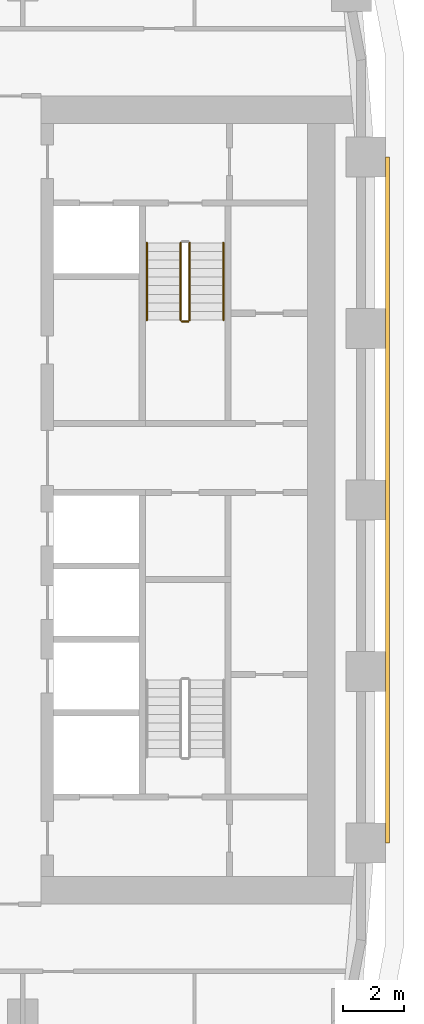
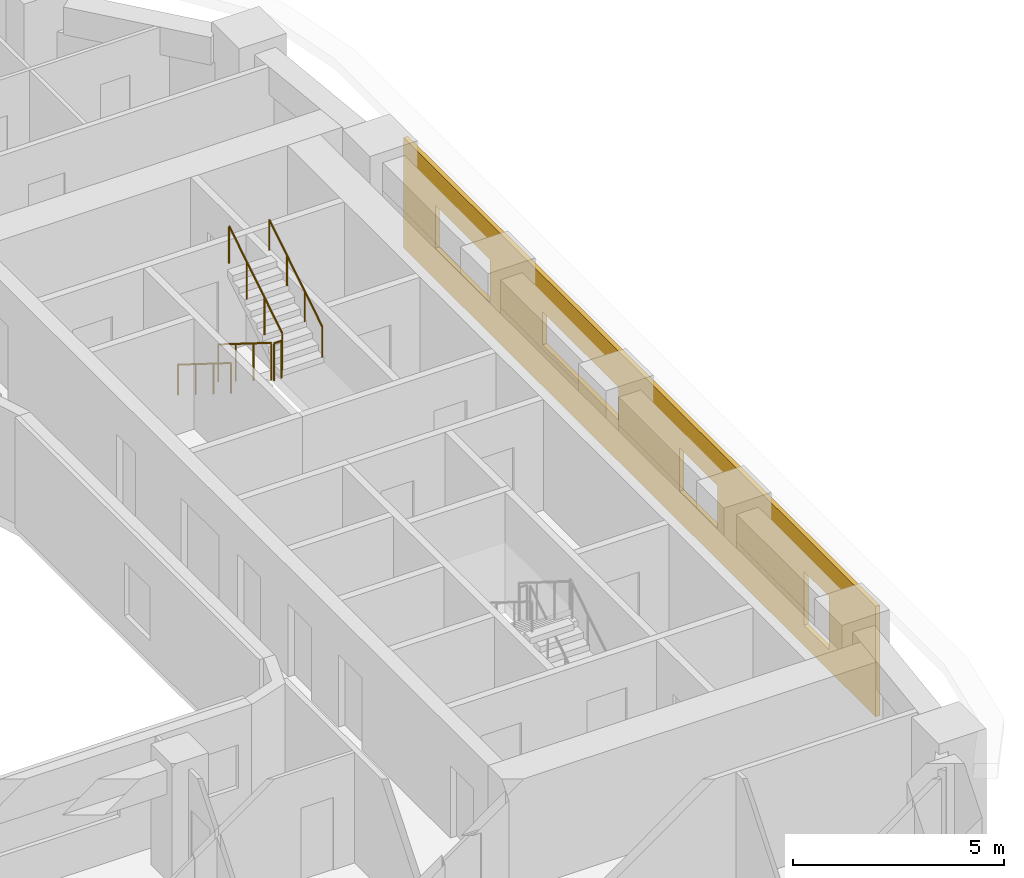
# One storey, part 19 of 22: 5 railings, 1 covering.
"""IFC4 building model written with IfcOpenShell, lengths in metres."""

from ifc_helpers import new_model, si_unit, direction, frame, origin, origin_2d, place, context, subcontext, project, spatial, polyline, circle, outline, extrude, material, layer, layer_set, type_object, element, save


model = new_model("IFC4")

# Units and contexts
model_context = context("Model", 3, precision=1e-05, world=origin(), true_north=direction((0.0, 1.0)))
body_context = subcontext(model_context, "Body", "Model", "MODEL_VIEW")
ifc_project = project(units=[si_unit("LENGTHUNIT", "METRE"), si_unit("AREAUNIT", "SQUARE_METRE"), si_unit("VOLUMEUNIT", "CUBIC_METRE"), si_unit("PLANEANGLEUNIT", "RADIAN"), si_unit("MASSUNIT", "GRAM", prefix="KILO")], contexts=[model_context])

# Site, building, storey
site_placement = place(None, origin())
site = spatial("IfcSite", under=ifc_project, at=site_placement, CompositionType="ELEMENT")
building_placement = place(site_placement, origin())
building = spatial("IfcBuilding", under=site, at=building_placement, Name="Kiln Ring Residences", CompositionType="ELEMENT")
storey_placement = place(building_placement, frame((0.0, 0.0, 97.300048828125)))
storey = spatial("IfcBuildingStorey", under=building, at=storey_placement, Name="L24", CompositionType="ELEMENT", Elevation=97.300048828125)

# Railings
ifc_material_1 = material(Name="Stainless steel", Category="steel")
railing_type_1 = type_object("IfcRailingType", Name="CORE-STAIR-GUARD", PredefinedType="GUARDRAIL", material=ifc_material_1)
railing_1_placement = place(storey_placement, frame((21.949951171875, 8.39990234375, 0.175048828125)))
element("IfcRailing", 1, at=railing_1_placement, inside=storey, type_object=railing_type_1, Name="L24 E-STN stair guard 1", PredefinedType="GUARDRAIL", context=body_context, shape_type="SweptSolid", body=[
    extrude(circle(Radius=0.02392578125, at=origin_2d()), frame((0.0, 0.0, 1.076171875), z_axis=(0.0, -0.848007534815, 0.529984170421), x_axis=(1.0, 0.0, 0.0)), (0.0, 0.0, 1.0), 2.9716796875),
    extrude(circle(Radius=0.02099609375, at=origin_2d()), origin(), (0.0, 0.0, 1.0), 1.052001953125),
    extrude(circle(Radius=0.02099609375, at=origin_2d()), frame((0.0, -0.840087890625, 0.52490234375)), (0.0, 0.0, 1.0), 1.052001953125),
    extrude(circle(Radius=0.02099609375, at=origin_2d()), frame((0.0, -1.679931640625, 1.050048828125)), (0.0, 0.0, 1.0), 1.052001953125),
    extrude(circle(Radius=0.02099609375, at=origin_2d()), frame((0.0, -2.52001953125, 1.574951171875)), (0.0, 0.0, 1.0), 1.052001953125),
])
railing_2_placement = place(storey_placement, frame((22.0, 5.830078125, 1.75)))
element("IfcRailing", 2, at=railing_2_placement, inside=storey, type_object=railing_type_1, Name="L24 E-STN stair guard 2", PredefinedType="GUARDRAIL", context=body_context, shape_type="SweptSolid", body=[
    extrude(circle(Radius=0.02392578125, at=origin_2d()), frame((0.0, 0.0, 1.076171875), z_axis=(1.0, 0.0, 0.0), x_axis=(0.0, 1.0, 0.0)), (0.0, 0.0, 1.0), 0.199951171875),
    extrude(circle(Radius=0.02099609375, at=origin_2d()), origin(), (0.0, 0.0, 1.0), 1.052001953125),
    extrude(circle(Radius=0.02099609375, at=origin_2d()), frame((0.199951171875, 0.0, 0.0)), (0.0, 0.0, 1.0), 1.052001953125),
])
railing_3_placement = place(storey_placement, frame((22.25, 5.8798828125, 1.925048828125)))
element("IfcRailing", 3, at=railing_3_placement, inside=storey, type_object=railing_type_1, Name="L24 E-STN stair guard 3", PredefinedType="GUARDRAIL", context=body_context, shape_type="SweptSolid", body=[
    extrude(circle(Radius=0.02392578125, at=origin_2d()), frame((0.0, 0.0, 1.076171875), z_axis=(0.0, 0.848007534815, 0.529984170421), x_axis=(-1.0, 0.0, 0.0)), (0.0, 0.0, 1.0), 2.9716796875),
    extrude(circle(Radius=0.02099609375, at=origin_2d()), origin(), (0.0, 0.0, 1.0), 1.052001953125),
    extrude(circle(Radius=0.02099609375, at=origin_2d()), frame((0.0, 0.840087890625, 0.52490234375)), (0.0, 0.0, 1.0), 1.052001953125),
    extrude(circle(Radius=0.02099609375, at=origin_2d()), frame((0.0, 1.679931640625, 1.050048828125)), (0.0, 0.0, 1.0), 1.052001953125),
    extrude(circle(Radius=0.02099609375, at=origin_2d()), frame((0.0, 2.52001953125, 1.574951171875)), (0.0, 0.0, 1.0), 1.052001953125),
])
ifc_material_2 = material(Name="Stainless steel", Category="steel")
railing_type_2 = type_object("IfcRailingType", Name="CORE-STAIR-HANDRAIL", PredefinedType="HANDRAIL", material=ifc_material_2)
railing_4_placement = place(storey_placement, frame((20.85009765625, 8.39990234375, 0.175048828125)))
element("IfcRailing", 4, at=railing_4_placement, inside=storey, type_object=railing_type_2, Name="L24 E-STN stair handrail 1", PredefinedType="HANDRAIL", context=body_context, shape_type="SweptSolid", body=[
    extrude(circle(Radius=0.02392578125, at=origin_2d()), frame((0.0, 0.0, 0.8759765625), z_axis=(0.0, -0.848007534815, 0.529984170421), x_axis=(1.0, 0.0, 0.0)), (0.0, 0.0, 1.0), 2.9716796875),
    extrude(circle(Radius=0.02099609375, at=origin_2d()), origin(), (0.0, 0.0, 1.0), 0.851806640625),
    extrude(circle(Radius=0.02099609375, at=origin_2d()), frame((0.0, -0.840087890625, 0.52490234375)), (0.0, 0.0, 1.0), 0.851806640625),
    extrude(circle(Radius=0.02099609375, at=origin_2d()), frame((0.0, -1.679931640625, 1.050048828125)), (0.0, 0.0, 1.0), 0.851806640625),
    extrude(circle(Radius=0.02099609375, at=origin_2d()), frame((0.0, -2.52001953125, 1.574951171875)), (0.0, 0.0, 1.0), 0.851806640625),
])
railing_5_placement = place(storey_placement, frame((23.35009765625, 5.8798828125, 1.925048828125)))
element("IfcRailing", 5, at=railing_5_placement, inside=storey, type_object=railing_type_2, Name="L24 E-STN stair handrail 2", PredefinedType="HANDRAIL", context=body_context, shape_type="SweptSolid", body=[
    extrude(circle(Radius=0.02392578125, at=origin_2d()), frame((0.0, 0.0, 0.8759765625), z_axis=(0.0, 0.848007534815, 0.529984170421), x_axis=(-1.0, 0.0, 0.0)), (0.0, 0.0, 1.0), 2.9716796875),
    extrude(circle(Radius=0.02099609375, at=origin_2d()), origin(), (0.0, 0.0, 1.0), 0.851806640625),
    extrude(circle(Radius=0.02099609375, at=origin_2d()), frame((0.0, 0.840087890625, 0.52490234375)), (0.0, 0.0, 1.0), 0.851806640625),
    extrude(circle(Radius=0.02099609375, at=origin_2d()), frame((0.0, 1.679931640625, 1.050048828125)), (0.0, 0.0, 1.0), 0.851806640625),
    extrude(circle(Radius=0.02099609375, at=origin_2d()), frame((0.0, 2.52001953125, 1.574951171875)), (0.0, 0.0, 1.0), 0.851806640625),
])

# Covering
ifc_material_3 = material(Name="Brick masonry, dark clay brick", Category="masonry")
ifc_layer = layer(ifc_material_3, 0.1201171875)
ifc_layer_set = layer_set([ifc_layer], Name="RAINSCREEN PANEL 120")
covering_type = type_object("IfcCoveringType", Name="RAINSCREEN PANEL 120", PredefinedType="CLADDING", material=ifc_layer_set)
covering_placement = place(storey_placement, frame((28.7099609375, -11.199951171875, 0.0), z_axis=(0.0, 0.0, 1.0), x_axis=(0.0, 1.0, 0.0)))
element("IfcCovering", 6, at=covering_placement, inside=storey, type_object=covering_type, Name="RAINSCREEN L24", PredefinedType="CLADDING", context=body_context, shape_type="SweptSolid", body=[
    extrude(outline(polyline([(0.0, 0.0), (22.39990234375, 0.0), (22.39990234375, 3.199951171875), (0.0, 3.199951171875), (0.0, 0.0)]), holes=[polyline([(3.39990234375, 0.599853515625), (3.39990234375, 2.14990234375), (2.199951171875, 2.14990234375), (2.199951171875, 0.599853515625), (3.39990234375, 0.599853515625)]), polyline([(9.300048828125, 0.89990234375), (9.300048828125, 2.14990234375), (7.5, 2.14990234375), (7.5, 0.89990234375), (9.300048828125, 0.89990234375)]), polyline([(20.89990234375, 0.89990234375), (20.89990234375, 2.14990234375), (18.300048828125, 2.14990234375), (18.300048828125, 0.89990234375), (20.89990234375, 0.89990234375)]), polyline([(15.800048828125, 1.199951171875), (15.800048828125, 2.14990234375), (12.199951171875, 2.14990234375), (12.199951171875, 1.199951171875), (15.800048828125, 1.199951171875)])]), frame((0.0, 0.06005859375, 0.0), z_axis=(0.0, -1.0, 0.0), x_axis=(1.0, 0.0, 0.0)), (0.0, 0.0, 1.0), 0.1201171875),
])

save(model, "model.ifc")
